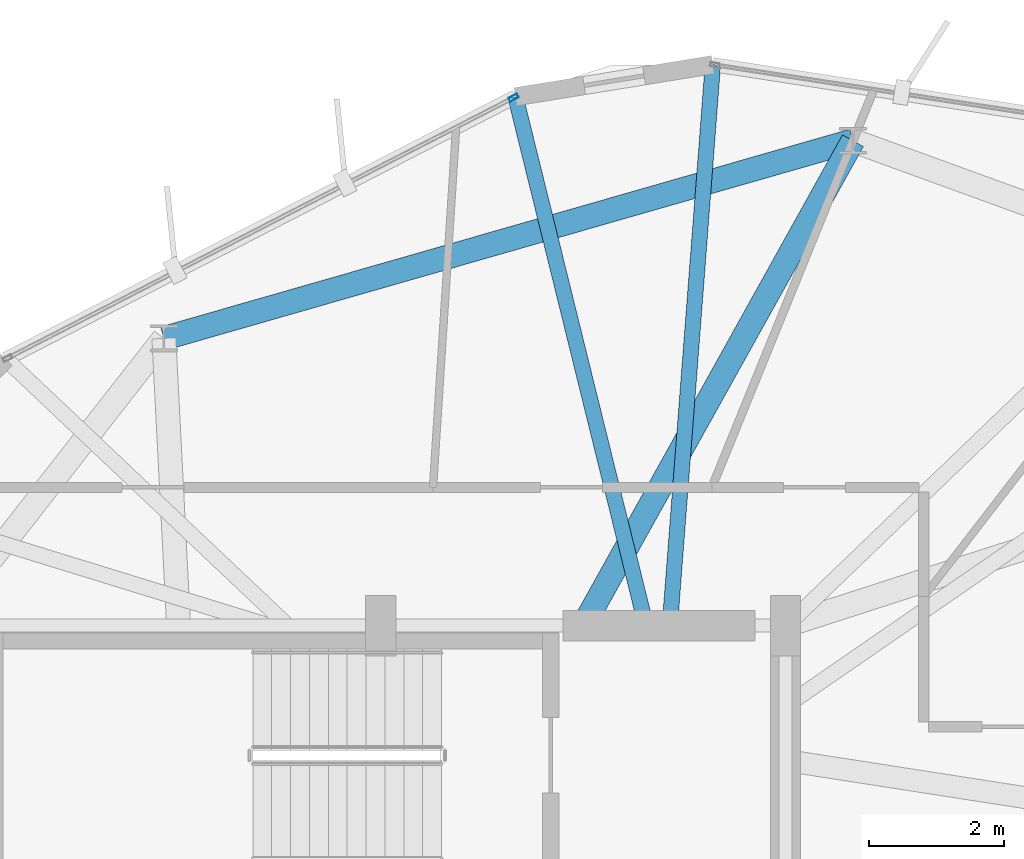
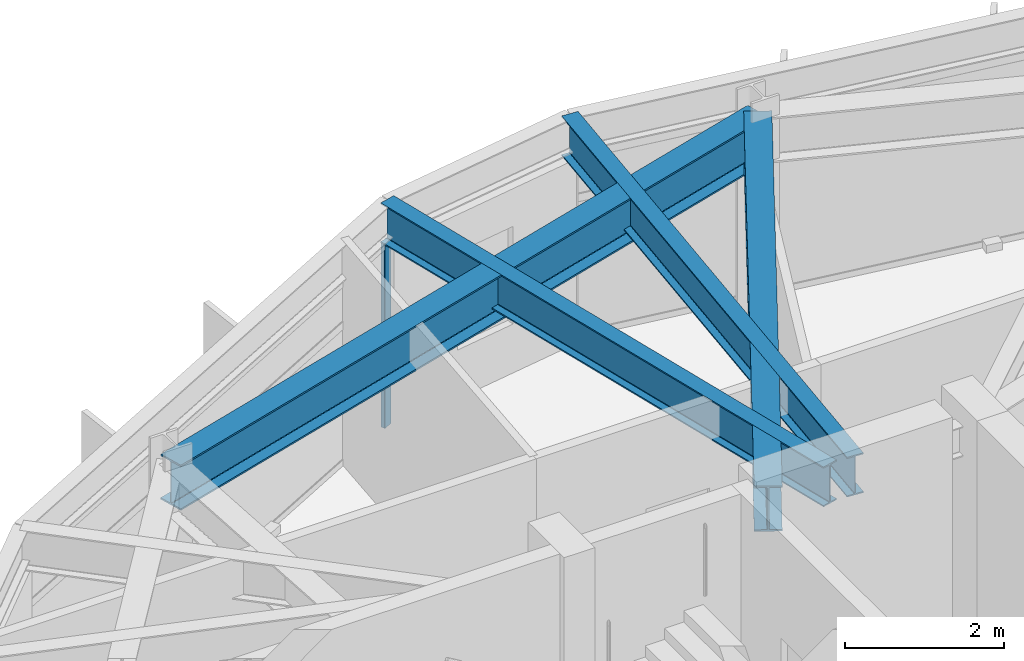
# One storey, part 13 of 22: 4 beams, 1 member, 1 element without a shape of its own.
"""IFC4 building model written with IfcOpenShell, lengths in metres."""

from ifc_helpers import new_model, si_unit, direction, frame, origin, origin_2d, place, context, subcontext, project, spatial, hollow_rectangle, i_section, extrude, material, layer, layer_set, material_profile, profile_set, type_object, element, aggregate, save


model = new_model("IFC4")

# Units and contexts
model_context = context("Model", 3, precision=1e-05, world=origin(), true_north=direction((0.0, 1.0)))
body_context = subcontext(model_context, "Body", "Model", "MODEL_VIEW")
ifc_project = project(units=[si_unit("LENGTHUNIT", "METRE"), si_unit("AREAUNIT", "SQUARE_METRE"), si_unit("VOLUMEUNIT", "CUBIC_METRE"), si_unit("PLANEANGLEUNIT", "RADIAN"), si_unit("MASSUNIT", "GRAM", prefix="KILO")], contexts=[model_context])

# Site, building, storey
site_placement = place(None, origin())
site = spatial("IfcSite", under=ifc_project, at=site_placement, CompositionType="ELEMENT")
building_placement = place(site_placement, origin())
building = spatial("IfcBuilding", under=site, at=building_placement, Name="Soratama Intermodal Tower", CompositionType="ELEMENT")
storey_placement = place(building_placement, frame((0.0, 0.0, 265.0)))
storey = spatial("IfcBuildingStorey", under=building, at=storey_placement, Name="L67", CompositionType="ELEMENT", Elevation=265.0)

# Beams
ifc_material_1 = material(Name="Structural steel ASTM A992 Grade 50", Category="steel")
ifc_material_profile_1 = material_profile(ifc_material_1, i_section(OverallWidth=0.35498046875, OverallDepth=0.695068359375, WebThickness=0.015380859375, FlangeThickness=0.02490234375, FilletRadius=0.01611328125, at=origin_2d()), Name="W27X146")
ifc_profile_set_1 = profile_set([ifc_material_profile_1], Name="Structural steel ASTM A992 Grade 50")
beam_type_1 = type_object("IfcBeamType", Name="BM-RING-W27X146", PredefinedType="BEAM", material=ifc_profile_set_1)
beam_1_placement = place(storey_placement, frame((45.60009765625, 42.18994140625, 3.1025390625), z_axis=(-0.961238292127, -0.275718961532, 0.0), x_axis=(0.275718961532, -0.961238292127, 0.0)))
element("IfcBeam", 1, at=beam_1_placement, inside=storey, type_object=beam_type_1, Name="BM-L67-RING-03", PredefinedType="BEAM", context=body_context, shape_type="SweptSolid", body=[
    extrude(i_section(OverallWidth=0.35498046875, OverallDepth=0.695068359375, WebThickness=0.015380859375, FlangeThickness=0.02490234375, FilletRadius=0.01611328125, at=origin_2d()), origin(), (0.0, 0.0, 1.0), 10.630126953125),
])
beam_2_placement = place(storey_placement, frame((41.60009765625, 35.0, 3.1025390625), z_axis=(0.486161842523, 0.873868790423, 0.0), x_axis=(-0.873868790423, 0.486161842523, 0.0)))
element("IfcBeam", 2, at=beam_2_placement, inside=storey, type_object=beam_type_1, Name="BM-L67-RAD-03", PredefinedType="BEAM", context=body_context, shape_type="SweptSolid", body=[
    extrude(i_section(OverallWidth=0.35498046875, OverallDepth=0.695068359375, WebThickness=0.015380859375, FlangeThickness=0.02490234375, FilletRadius=0.01611328125, at=origin_2d()), origin(), (0.0, 0.0, 1.0), 8.227783203125),
])
ifc_material_2 = material(Name="Structural steel ASTM A992 Grade 50", Category="steel")
ifc_material_profile_2 = material_profile(ifc_material_2, i_section(OverallWidth=0.22900390625, OverallDepth=0.612060546875, WebThickness=0.011962890625, FlangeThickness=0.01953125, FilletRadius=0.012939453125, at=origin_2d()), Name="W24X84")
ifc_profile_set_2 = profile_set([ifc_material_profile_2], Name="Structural steel ASTM A992 Grade 50")
beam_type_2 = type_object("IfcBeamType", Name="BM-TIE-W24X84", PredefinedType="BEAM", material=ifc_profile_set_2)
beam_3_placement = place(storey_placement, frame((42.886962890625, 35.0400390625, 3.14404296875), z_axis=(0.07659307145, 0.997062436062, 0.0), x_axis=(-0.997062436062, 0.07659307145, 0.0)))
element("IfcBeam", 3, at=beam_3_placement, inside=storey, type_object=beam_type_2, Name="BM-L67-TIE1-01", PredefinedType="BEAM", context=body_context, shape_type="SweptSolid", body=[
    extrude(i_section(OverallWidth=0.22900390625, OverallDepth=0.612060546875, WebThickness=0.011962890625, FlangeThickness=0.01953125, FilletRadius=0.012939453125, at=origin_2d()), origin(), (0.0, 0.0, 1.0), 8.303466796875),
])
beam_4_placement = place(storey_placement, frame((42.52099609375, 35.0390625, 3.14404296875), z_axis=(-0.239639847979, 0.97086185591, 0.0), x_axis=(-0.97086185591, -0.239639847979, 0.0)))
element("IfcBeam", 4, at=beam_4_placement, inside=storey, type_object=beam_type_2, Name="BM-L67-TIE0-02", PredefinedType="BEAM", context=body_context, shape_type="SweptSolid", body=[
    extrude(i_section(OverallWidth=0.22900390625, OverallDepth=0.612060546875, WebThickness=0.011962890625, FlangeThickness=0.01953125, FilletRadius=0.012939453125, at=origin_2d()), origin(), (0.0, 0.0, 1.0), 8.037109375),
])

# Curtain wall, member
ifc_material_3 = material(Name="Double-glazed aluminium curtain wall", Category="aluminium")
ifc_layer = layer(ifc_material_3, 0.159912109375)
ifc_layer_set = layer_set([ifc_layer], Name="Double-glazed aluminium curtain wall")
curtain_wall_type = type_object("IfcCurtainWallType", Name="CW-SYS-5", PredefinedType="NOTDEFINED", material=ifc_layer_set)
curtain_wall_placement = place(storey_placement, origin())
curtain_wall = element("IfcCurtainWall", 5, at=curtain_wall_placement, inside=storey, type_object=curtain_wall_type, Name="L67 Faceted Curtain Wall F02", PredefinedType="NOTDEFINED")
ifc_material_4 = material(Name="Anodised aluminium AA 6063-T6", Category="aluminium")
ifc_material_profile_3 = material_profile(ifc_material_4, hollow_rectangle(XDim=0.06494140625, YDim=0.139892578125, WallThickness=0.0048828125, InnerFilletRadius=0.0048828125, OuterFilletRadius=0.010009765625, at=origin_2d()), Name="CWM140X65X5")
ifc_profile_set_3 = profile_set([ifc_material_profile_3], Name="Anodised aluminium AA 6063-T6")
member_type = type_object("IfcMemberType", Name="MT-CWM-5", PredefinedType="MULLION", material=ifc_profile_set_3)
member_placement = place(storey_placement, frame((40.56787109375, 42.828369140625, 0.0), z_axis=(0.0, 0.0, 1.0), x_axis=(0.457719342796, -0.889096734461, 0.0)))
member = element("IfcMember", 6, at=member_placement, type_object=member_type, Name="CW-5 mullion 1", PredefinedType="MULLION", context=body_context, shape_type="SweptSolid", body=[
    extrude(hollow_rectangle(XDim=0.06494140625, YDim=0.139892578125, WallThickness=0.0048828125, InnerFilletRadius=0.0048828125, OuterFilletRadius=0.010009765625, at=origin_2d()), origin(), (0.0, 0.0, 1.0), 2.8291015625),
])
aggregate(curtain_wall, [member])

save(model, "model.ifc")
